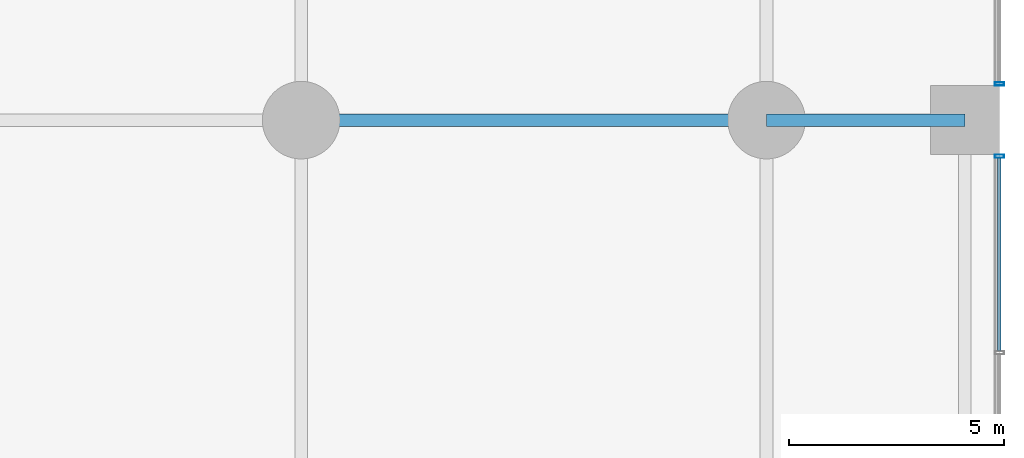
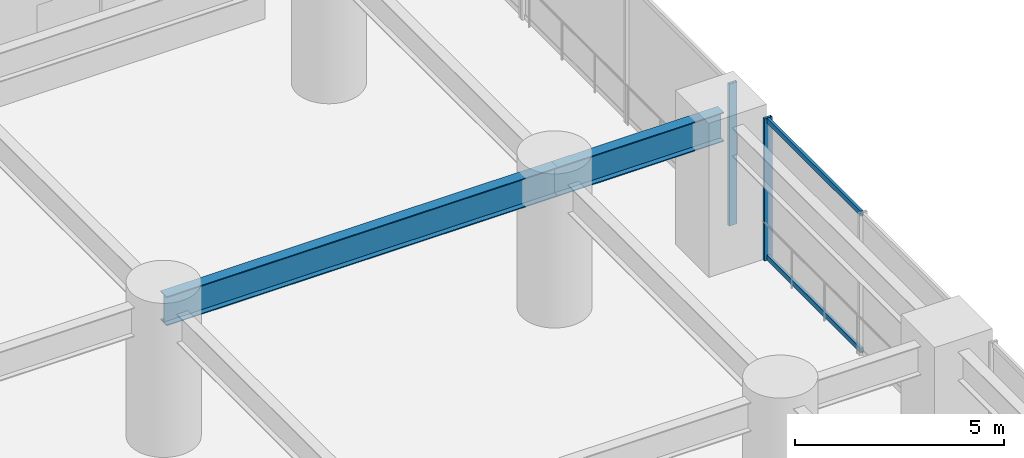
# One storey, part 23 of 35: 4 members, 2 beams, 2 elements without a shape of their own.
"""IFC4 building model written with IfcOpenShell, lengths in metres."""

from ifc_helpers import new_model, si_unit, direction, frame, origin, origin_2d, place, context, subcontext, project, spatial, hollow_rectangle, i_section, extrude, material, layer, layer_set, material_profile, profile_set, type_object, element, aggregate, save


model = new_model("IFC4")

# Units and contexts
model_context = context("Model", 3, precision=1e-05, world=origin(), true_north=direction((0.0, 1.0)))
body_context = subcontext(model_context, "Body", "Model", "MODEL_VIEW")
ifc_project = project(units=[si_unit("LENGTHUNIT", "METRE"), si_unit("AREAUNIT", "SQUARE_METRE"), si_unit("VOLUMEUNIT", "CUBIC_METRE"), si_unit("PLANEANGLEUNIT", "RADIAN"), si_unit("MASSUNIT", "GRAM", prefix="KILO")], contexts=[model_context])

# Site, building, storey
site_placement = place(None, origin())
site = spatial("IfcSite", under=ifc_project, at=site_placement, CompositionType="ELEMENT")
building_placement = place(site_placement, origin())
building = spatial("IfcBuilding", under=site, at=building_placement, Name="Surkhivell Harbour Commons", CompositionType="ELEMENT")
storey_placement = place(building_placement, frame((0.0, 0.0, 13.5)))
storey = spatial("IfcBuildingStorey", under=building, at=storey_placement, Name="L03", CompositionType="ELEMENT", Elevation=13.5)

# Beams
ifc_material_1 = material(Name="Steel S460", Category="steel")
ifc_material_profile_1 = material_profile(ifc_material_1, i_section(OverallWidth=0.2939453125, OverallDepth=0.85107421875, WebThickness=0.01611328125, FlangeThickness=0.02685546875, at=origin_2d()), Name="UB838x292x226")
ifc_profile_set_1 = profile_set([ifc_material_profile_1], Name="Steel S460")
beam_type = type_object("IfcBeamType", Name="BM-SPN-838", PredefinedType="SPANDREL", material=ifc_profile_set_1)
beam_1_placement = place(storey_placement, frame((21.60009765625, 10.800048828125, 3.724609375), z_axis=(1.0, 0.0, 0.0), x_axis=(0.0, 1.0, 0.0)))
element("IfcBeam", 1, at=beam_1_placement, inside=storey, type_object=beam_type, Name="L03 Framing Beam (21.6,10.8)", PredefinedType="SPANDREL", context=body_context, shape_type="SweptSolid", body=[
    extrude(i_section(OverallWidth=0.2939453125, OverallDepth=0.85107421875, WebThickness=0.01611328125, FlangeThickness=0.02685546875, at=origin_2d()), origin(), (0.0, 0.0, 1.0), 10.7998046875),
])
beam_2_placement = place(storey_placement, frame((32.39990234375, 10.800048828125, 3.724609375), z_axis=(1.0, 0.0, 0.0), x_axis=(0.0, 1.0, 0.0)))
element("IfcBeam", 2, at=beam_2_placement, inside=storey, type_object=beam_type, Name="L03 Framing Beam (32.4,10.8)", PredefinedType="SPANDREL", context=body_context, shape_type="SweptSolid", body=[
    extrude(i_section(OverallWidth=0.2939453125, OverallDepth=0.85107421875, WebThickness=0.01611328125, FlangeThickness=0.02685546875, at=origin_2d()), origin(), (0.0, 0.0, 1.0), 4.60009765625),
])

# Curtain wall, member
ifc_material_2 = material(Name="Anodised pale-metal aluminium and insulated glazing", Category="aluminium")
ifc_layer = layer(ifc_material_2, 0.239990234375)
ifc_layer_set = layer_set([ifc_layer], Name="Anodised pale-metal aluminium and insulated glazing")
curtain_wall_type = type_object("IfcCurtainWallType", Name="CW-SYS-POD", PredefinedType="NOTDEFINED", material=ifc_layer_set)
curtain_wall_1_placement = place(storey_placement, origin())
curtain_wall_1 = element("IfcCurtainWall", 3, at=curtain_wall_1_placement, inside=storey, type_object=curtain_wall_type, Name="L03 Curtain Wall CW-L03-E4", PredefinedType="NOTDEFINED")
ifc_material_3 = material(Name="Anodised pale-metal aluminium alloy 6063-T6", Category="aluminium")
ifc_material_profile_2 = material_profile(ifc_material_3, hollow_rectangle(XDim=0.074951171875, YDim=0.219970703125, WallThickness=0.00390625, at=origin_2d()), Name="ALU-MULL-75x220")
ifc_profile_set_2 = profile_set([ifc_material_profile_2], Name="Anodised pale-metal aluminium alloy 6063-T6")
member_type_1 = type_object("IfcMemberType", Name="CWM-220", PredefinedType="MULLION", material=ifc_profile_set_2)
member_1_placement = place(storey_placement, frame((37.800048828125, 9.96044921875, 0.0), z_axis=(0.0, 0.0, 1.0), x_axis=(0.0, -1.0, 0.0)))
member_1 = element("IfcMember", 4, at=member_1_placement, type_object=member_type_1, Name="CW-POD mullion 1", PredefinedType="MULLION", context=body_context, shape_type="SweptSolid", body=[
    extrude(hollow_rectangle(XDim=0.074951171875, YDim=0.219970703125, WallThickness=0.00390625, at=origin_2d()), origin(), (0.0, 0.0, 1.0), 4.14990234375),
])

curtain_wall_2_placement = place(storey_placement, origin())
curtain_wall_2 = element("IfcCurtainWall", 5, at=curtain_wall_2_placement, inside=storey, type_object=curtain_wall_type, Name="L03 Curtain Wall CW-L03-E5", PredefinedType="NOTDEFINED")
member_2_placement = place(storey_placement, frame((37.800048828125, 11.639404296875, 0.0), z_axis=(0.0, 0.0, 1.0), x_axis=(0.0, -1.0, 0.0)))
member_2 = element("IfcMember", 6, at=member_2_placement, type_object=member_type_1, Name="CW-POD mullion 3", PredefinedType="MULLION", context=body_context, shape_type="SweptSolid", body=[
    extrude(hollow_rectangle(XDim=0.074951171875, YDim=0.219970703125, WallThickness=0.00390625, at=origin_2d()), origin(), (0.0, 0.0, 1.0), 4.14990234375),
])
aggregate(curtain_wall_2, [member_2])

# Member
ifc_material_profile_3 = material_profile(ifc_material_3, hollow_rectangle(XDim=0.074951171875, YDim=0.14990234375, WallThickness=0.00341796875, at=origin_2d()), Name="ALU-TRAN-75x150")
ifc_profile_set_3 = profile_set([ifc_material_profile_3], Name="Anodised pale-metal aluminium alloy 6063-T6")
member_type_2 = type_object("IfcMemberType", Name="CWT-150", PredefinedType="USERDEFINED", material=ifc_profile_set_3)
member_3_placement = place(storey_placement, frame((37.800048828125, 9.923095703125, 0.074951171875), z_axis=(0.0, -1.0, 0.0), x_axis=(1.0, 0.0, 0.0)))
member_3 = element("IfcMember", 7, at=member_3_placement, type_object=member_type_2, Name="CW-POD transom 1.1", ObjectType="TRANSOM", PredefinedType="USERDEFINED", context=body_context, shape_type="SweptSolid", body=[
    extrude(hollow_rectangle(XDim=0.074951171875, YDim=0.14990234375, WallThickness=0.00341796875, at=origin_2d()), origin(), (0.0, 0.0, 1.0), 4.485595703125),
])

member_4_placement = place(storey_placement, frame((37.800048828125, 9.923095703125, 4.074951171875), z_axis=(0.0, -1.0, 0.0), x_axis=(1.0, 0.0, 0.0)))
member_4 = element("IfcMember", 8, at=member_4_placement, type_object=member_type_2, Name="CW-POD transom 1.2", ObjectType="TRANSOM", PredefinedType="USERDEFINED", context=body_context, shape_type="SweptSolid", body=[
    extrude(hollow_rectangle(XDim=0.074951171875, YDim=0.14990234375, WallThickness=0.00341796875, at=origin_2d()), origin(), (0.0, 0.0, 1.0), 4.485595703125),
])

aggregate(curtain_wall_1, [member_1, member_3, member_4])

save(model, "model.ifc")
